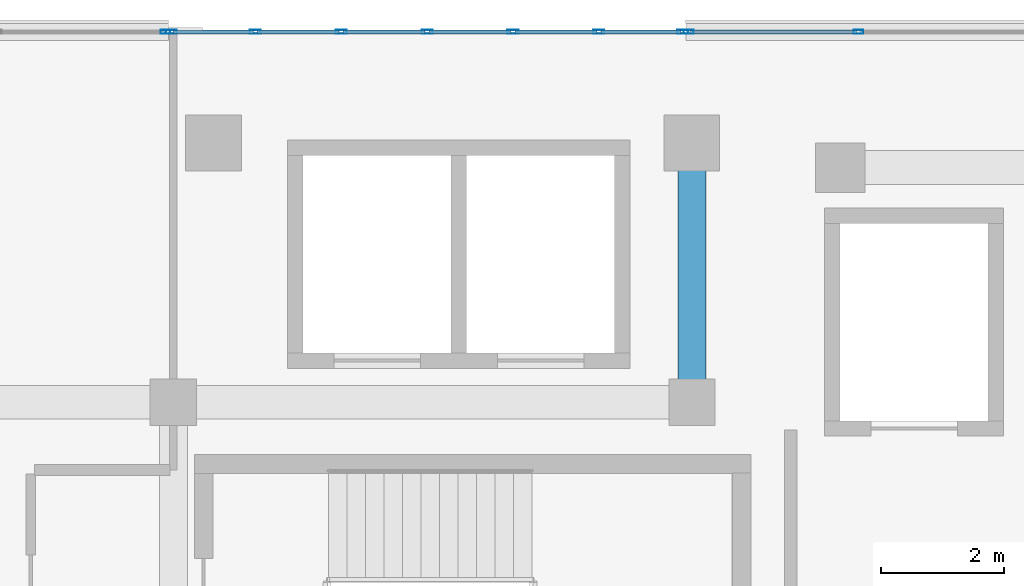
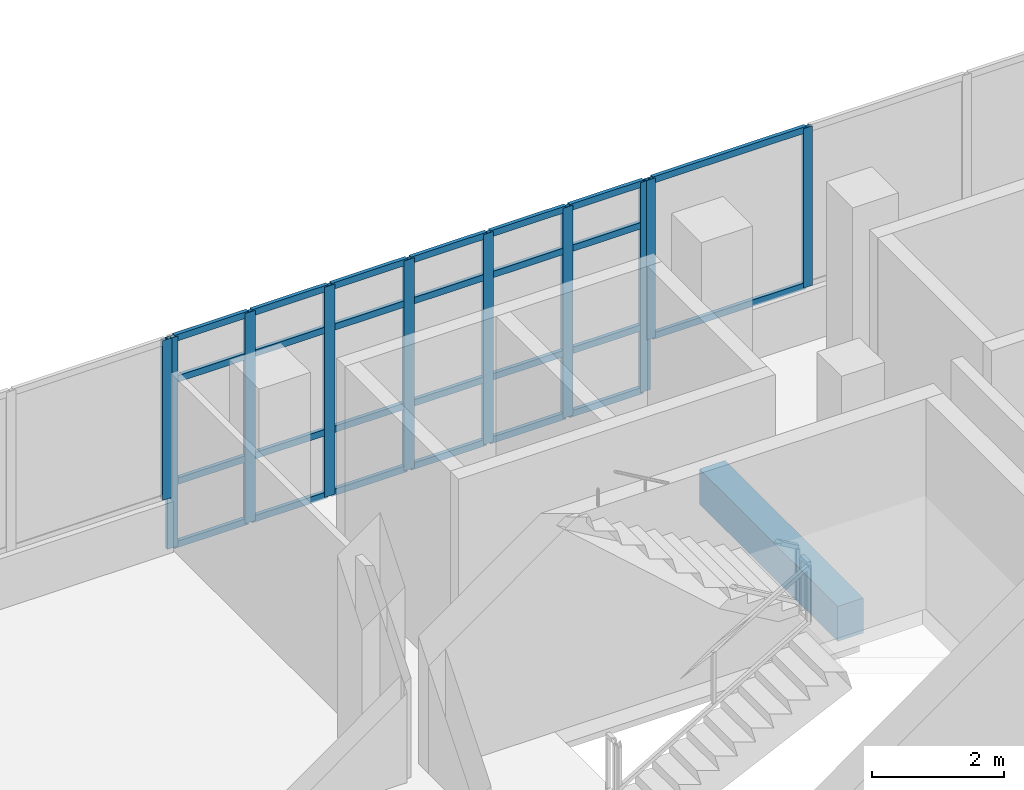
# One storey, part 98 of 184: 36 members, 1 beam, 3 elements without a shape of their own.
"""IFC4 building model written with IfcOpenShell, lengths in metres."""

import ifcopenshell
import ifcopenshell.guid

model = None  # the IFC model being written
_history = None  # IfcOwnerHistory: only IFC2X3 demands one
_inside = {}  # id of a spatial element -> (the spatial element, [elements in it])
_under = {}  # id of a project, library or spatial element -> (it, [spatial elements below it])
_declared = {}  # id of a project -> (the project, [libraries it declares])
_typed = {}  # id of a type object -> (the type object, [elements of that type])
_made_of = {}  # id of a material, layer set ... -> (it, [elements and type objects made of it])


def new_model(schema):
    """Start an empty IFC model of exactly this schema.

    Asked for "IFC4X3", IfcOpenShell would pick the latest addendum, in which some entities
    have other attributes; the version numbers below select the first issue.
    IFC2X3 requires an IfcOwnerHistory on every rooted entity: one is made here for all.
    """
    global model, _history
    if schema == "IFC4X3":
        model = ifcopenshell.file(schema_version=(4, 3, 0, 0))
    else:
        model = ifcopenshell.file(schema=schema)
    _inside.clear()
    _under.clear()
    _declared.clear()
    _typed.clear()
    _made_of.clear()
    _history = None
    if model.schema == "IFC2X3":
        org = make("IfcOrganization", Name="unknown")
        user = make(
            "IfcPersonAndOrganization",
            ThePerson=make("IfcPerson", FamilyName="unknown"),
            TheOrganization=org,
        )
        app = make(
            "IfcApplication",
            ApplicationDeveloper=org,
            Version="unknown",
            ApplicationFullName="unknown",
            ApplicationIdentifier="unknown",
        )
        _history = make(
            "IfcOwnerHistory",
            OwningUser=user,
            OwningApplication=app,
            ChangeAction="ADDED",
            CreationDate=0,
        )
    return model


def make(cls, **values):
    """One entity of the class cls with the attributes given. An attribute that is None is left unset."""
    return model.create_entity(
        cls, **{name: value for name, value in values.items() if value is not None}
    )


def rooted(cls, **values):
    """An entity with a GlobalId (a new one), such as an element, a storey or a relation."""
    return make(cls, GlobalId=ifcopenshell.guid.new(), OwnerHistory=_history, **values)


def si_unit(unit_type, name, prefix=None):
    """IfcSIUnit, for example si_unit("LENGTHUNIT", "METRE", prefix="MILLI")."""
    return make("IfcSIUnit", UnitType=unit_type, Prefix=prefix, Name=name)


def assignment(units):
    """IfcUnitAssignment: the units of a project."""
    return None if units is None else make("IfcUnitAssignment", Units=units)


def point(xyz):
    """IfcCartesianPoint."""
    return None if xyz is None else make("IfcCartesianPoint", Coordinates=xyz)


def direction(xyz):
    """IfcDirection."""
    return None if xyz is None else make("IfcDirection", DirectionRatios=xyz)


def frame(location, z_axis=None, x_axis=None):
    """IfcAxis2Placement3D, a coordinate frame: its origin and axes. An axis left out is left unset."""
    return make(
        "IfcAxis2Placement3D",
        Location=point(location),
        Axis=direction(z_axis),
        RefDirection=direction(x_axis),
    )


def frame_2d(location, x_axis=None):
    """IfcAxis2Placement2D, a coordinate frame in the plane: its origin and x axis."""
    return make(
        "IfcAxis2Placement2D", Location=point(location), RefDirection=direction(x_axis)
    )


def origin():
    """The frame at (0, 0, 0) with its axes left unset."""
    return frame((0.0, 0.0, 0.0))


def origin_2d():
    """The frame at (0, 0) in the plane with its x axis left unset."""
    return frame_2d((0.0, 0.0))


def place(relative_to, where):
    """IfcLocalPlacement: puts the frame where relative to a parent placement (None: the world)."""
    return make(
        "IfcLocalPlacement", PlacementRelTo=relative_to, RelativePlacement=where
    )


def context(
    kind, dimensions, precision=None, world=None, true_north=None, identifier=None
):
    """IfcGeometricRepresentationContext, for example the 3D "Model" context."""
    return make(
        "IfcGeometricRepresentationContext",
        ContextIdentifier=identifier,
        ContextType=kind,
        CoordinateSpaceDimension=dimensions,
        Precision=precision,
        WorldCoordinateSystem=world,
        TrueNorth=true_north,
    )


def subcontext(parent, identifier, kind, view, scale=None):
    """IfcGeometricRepresentationSubContext, for example "Body" below "Model"."""
    return make(
        "IfcGeometricRepresentationSubContext",
        ContextIdentifier=identifier,
        ContextType=kind,
        ParentContext=parent,
        TargetScale=scale,
        TargetView=view,
    )


def project(units=None, contexts=None):
    """IfcProject with its units and contexts."""
    return rooted(
        "IfcProject",
        Name="project",
        RepresentationContexts=contexts,
        UnitsInContext=assignment(units),
    )


def spatial(cls, under=None, at=None, **own):
    """A site, building, storey or space (cls), placed at a placement, below another one or the project."""
    s = rooted(cls, ObjectPlacement=at, **own)
    if under is not None:
        _under.setdefault(under.id(), (under, []))[1].append(s)
    return s


def profile(cls, at=None, kind="AREA", **sizes):
    """A parametric profile (cls). Its sizes go by their IFC names, for example OverallWidth=200.0."""
    return make(cls, ProfileType=kind, Position=at, **sizes)


def rectangle(**sizes):
    """IfcRectangleProfileDef."""
    return profile("IfcRectangleProfileDef", **sizes)


def hollow_rectangle(**sizes):
    """IfcRectangleHollowProfileDef."""
    return profile("IfcRectangleHollowProfileDef", **sizes)


def extrude(swept, where, along, depth):
    """IfcExtrudedAreaSolid: the profile swept, set in the frame where, extruded along a direction by depth."""
    return make(
        "IfcExtrudedAreaSolid",
        SweptArea=swept,
        Position=where,
        ExtrudedDirection=direction(along),
        Depth=depth,
    )


def shape(context_of_items, identifier, shape_type, items):
    """IfcShapeRepresentation: the items that make up one representation, for example the "Body"."""
    return make(
        "IfcShapeRepresentation",
        ContextOfItems=context_of_items,
        RepresentationIdentifier=identifier,
        RepresentationType=shape_type,
        Items=items,
    )


def material(Name=None, Category=None):
    """IfcMaterial."""
    return make("IfcMaterial", Name=Name, Category=Category)


def material_profile(
    of_material, cross_section, Name=None, Category=None, Priority=None
):
    """IfcMaterialProfile: a cross section and its material."""
    return make(
        "IfcMaterialProfile",
        Name=Name,
        Material=of_material,
        Profile=cross_section,
        Priority=Priority,
        Category=Category,
    )


def profile_set(profiles, Name=None, composite=None):
    """IfcMaterialProfileSet."""
    return make(
        "IfcMaterialProfileSet",
        Name=Name,
        MaterialProfiles=profiles,
        CompositeProfile=composite,
    )


def made_of(thing, what):
    """Note that an element or type object is made of a material, layer set ...; save() writes the relation."""
    if what is not None:
        _made_of.setdefault(what.id(), (what, []))[1].append(thing)
    return thing


def type_object(cls, material=None, **own):
    """A type object (cls), such as IfcWallType, which elements share."""
    return made_of(rooted(cls, **own), material)


def element(
    cls,
    number,
    at=None,
    inside=None,
    cuts=None,
    type_object=None,
    material=None,
    context=None,
    identifier="Body",
    shape_type=None,
    held_by="IfcProductDefinitionShape",
    body=None,
    shapes=None,
    **own,
):
    """One element of the class cls, such as IfcWall. Its Tag is "e" and its number.

    at: its placement. inside: the storey or other place that contains it. cuts: it is an
    opening in that element (IfcRelVoidsElement). A single representation is given by context,
    identifier, shape_type and body (its items); several are given by shapes. held_by: the class
    of the entity that holds the representations. save() writes the other relations.
    """
    e = rooted(cls, Tag="e%d" % number, ObjectPlacement=at, **own)
    if body is not None:
        shapes = [shape(context, identifier, shape_type, body)]
    if shapes is not None:
        e.Representation = make(held_by, Representations=shapes)
    if inside is not None:
        _inside.setdefault(inside.id(), (inside, []))[1].append(e)
    if cuts is not None:
        rooted(
            "IfcRelVoidsElement", RelatingBuildingElement=cuts, RelatedOpeningElement=e
        )
    if type_object is not None:
        _typed.setdefault(type_object.id(), (type_object, []))[1].append(e)
    return made_of(e, material)


def aggregate(whole, parts):
    """IfcRelAggregates: a whole, such as a stair, and the parts it consists of."""
    return rooted("IfcRelAggregates", RelatingObject=whole, RelatedObjects=parts)


def save(model, path):
    """Write the relations noted so far, then the file.

    IfcRelAggregates (storeys below a building ...), IfcRelContainedInSpatialStructure (elements
    in a storey), IfcRelDefinesByType, IfcRelAssociatesMaterial and IfcRelDeclares: one each for
    every whole, place, type object, material and project.
    """
    for whole, parts in _under.values():
        aggregate(whole, parts)
    for where, things in _inside.values():
        rooted(
            "IfcRelContainedInSpatialStructure",
            RelatedElements=things,
            RelatingStructure=where,
        )
    for kind, things in _typed.values():
        rooted("IfcRelDefinesByType", RelatedObjects=things, RelatingType=kind)
    for what, things in _made_of.values():
        rooted("IfcRelAssociatesMaterial", RelatedObjects=things, RelatingMaterial=what)
    for by, libraries in _declared.values():
        rooted("IfcRelDeclares", RelatingContext=by, RelatedDefinitions=libraries)
    model.write(path)


model = new_model("IFC4")

# Units and contexts
model_context = context("Model", 3, precision=1e-05, world=origin(), true_north=direction((0.0, 1.0)))
body_context = subcontext(model_context, "Body", "Model", "MODEL_VIEW")
ifc_project = project(units=[si_unit("LENGTHUNIT", "METRE"), si_unit("AREAUNIT", "SQUARE_METRE"), si_unit("VOLUMEUNIT", "CUBIC_METRE"), si_unit("PLANEANGLEUNIT", "RADIAN"), si_unit("MASSUNIT", "GRAM", prefix="KILO")], contexts=[model_context])

# Site, building, storey
site_placement = place(None, origin())
site = spatial("IfcSite", under=ifc_project, at=site_placement, CompositionType="ELEMENT")
building_placement = place(site_placement, origin())
building = spatial("IfcBuilding", under=site, at=building_placement, Name="Selatvlak General Hospital", CompositionType="ELEMENT")
storey_placement = place(building_placement, frame((0.0, 0.0, 15.0)))
storey = spatial("IfcBuildingStorey", under=building, at=storey_placement, Name="L03", CompositionType="ELEMENT", Elevation=15.0)

# Beam
ifc_material_1 = material(Name="Concrete C40/50", Category="concrete")
ifc_material_profile_1 = material_profile(ifc_material_1, rectangle(XDim=0.449951171875, YDim=0.64990234375, at=origin_2d()), Name="RC-BM 450x650")
ifc_profile_set_1 = profile_set([ifc_material_profile_1], Name="Concrete C40/50")
beam_type = type_object("IfcBeamType", Name="BM-G04", PredefinedType="BEAM", material=ifc_profile_set_1)
beam_placement = place(storey_placement, frame((56.39990234375, 114.0, -0.6650390625), z_axis=(0.0, 1.0, 0.0), x_axis=(-1.0, 0.0, 0.0)))
element("IfcBeam", 1, at=beam_placement, inside=storey, type_object=beam_type, Name="Beam BMR-L03-1319", PredefinedType="BEAM", context=body_context, shape_type="SweptSolid", body=[
    extrude(rectangle(XDim=0.449951171875, YDim=0.64990234375, at=origin_2d()), origin(), (0.0, 0.0, 1.0), 4.199951171875),
])

# Curtain wall, member
ifc_material_2 = material(Name="Solar-control Low-E double glazing", Category="glass")
curtain_wall_type_1 = type_object("IfcCurtainWallType", Name="CW-CW-02", PredefinedType="USERDEFINED", material=ifc_material_2)
curtain_wall_1_placement = place(storey_placement, origin())
curtain_wall_1 = element("IfcCurtainWall", 2, at=curtain_wall_1_placement, inside=storey, type_object=curtain_wall_type_1, Name="Glazed facade curtain wall CW-L03-0367", ObjectType="UNITISED CURTAIN WALL", PredefinedType="USERDEFINED")
ifc_material_3 = material(Name="Dark anodised aluminium mullion", Category="aluminium")
ifc_material_profile_2 = material_profile(ifc_material_3, hollow_rectangle(XDim=0.06494140625, YDim=0.159912109375, WallThickness=0.00390625, at=origin_2d()), Name="AL-MUL 65x160x4")
ifc_profile_set_2 = profile_set([ifc_material_profile_2], Name="Dark anodised aluminium mullion")
member_type_1 = type_object("IfcMemberType", Name="CWM-01", PredefinedType="MULLION", material=ifc_profile_set_2)
member_1_placement = place(storey_placement, frame((47.87255859375, 119.9990234375, 0.93994140625), z_axis=(0.0, 0.0, 1.0), x_axis=(0.0, 1.0, 0.0)))
member_1 = element("IfcMember", 3, at=member_1_placement, type_object=member_type_1, Name="CW-02 mullion 4", PredefinedType="MULLION", context=body_context, shape_type="SweptSolid", body=[
    extrude(hollow_rectangle(XDim=0.06494140625, YDim=0.159912109375, WallThickness=0.00390625, at=origin_2d()), origin(), (0.0, 0.0, 1.0), 2.955078125),
])
aggregate(curtain_wall_1, [member_1])

# Curtain wall, members
curtain_wall_2_placement = place(storey_placement, origin())
curtain_wall_2 = element("IfcCurtainWall", 4, at=curtain_wall_2_placement, inside=storey, type_object=curtain_wall_type_1, Name="Glazed facade curtain wall CW-L03-0369", ObjectType="UNITISED CURTAIN WALL", PredefinedType="USERDEFINED")
member_2_placement = place(storey_placement, frame((56.347412109375, 119.9990234375, 0.93994140625), z_axis=(0.0, 0.0, 1.0), x_axis=(0.0, 1.0, 0.0)))
member_2 = element("IfcMember", 5, at=member_2_placement, type_object=member_type_1, Name="CW-02 mullion 1", PredefinedType="MULLION", context=body_context, shape_type="SweptSolid", body=[
    extrude(hollow_rectangle(XDim=0.06494140625, YDim=0.159912109375, WallThickness=0.00390625, at=origin_2d()), origin(), (0.0, 0.0, 1.0), 2.955078125),
])
member_3_placement = place(storey_placement, frame((59.098388671875, 119.9990234375, 0.93994140625), z_axis=(0.0, 0.0, 1.0), x_axis=(0.0, 1.0, 0.0)))
member_3 = element("IfcMember", 6, at=member_3_placement, type_object=member_type_1, Name="CW-02 mullion 2", PredefinedType="MULLION", context=body_context, shape_type="SweptSolid", body=[
    extrude(hollow_rectangle(XDim=0.06494140625, YDim=0.159912109375, WallThickness=0.00390625, at=origin_2d()), origin(), (0.0, 0.0, 1.0), 2.955078125),
])

curtain_wall_type_2 = type_object("IfcCurtainWallType", Name="CW-CW-04", PredefinedType="USERDEFINED", material=ifc_material_2)
curtain_wall_3_placement = place(storey_placement, origin())
curtain_wall_3 = element("IfcCurtainWall", 7, at=curtain_wall_3_placement, inside=storey, type_object=curtain_wall_type_2, Name="Glazed facade curtain wall CW-L03-0368", ObjectType="STICK GLAZING WALL", PredefinedType="USERDEFINED")
ifc_material_profile_3 = material_profile(ifc_material_3, hollow_rectangle(XDim=0.06494140625, YDim=0.179931640625, WallThickness=0.00439453125, at=origin_2d()), Name="AL-MUL 65x180x4.5")
ifc_profile_set_3 = profile_set([ifc_material_profile_3], Name="Dark anodised aluminium mullion")
member_type_2 = type_object("IfcMemberType", Name="CWM-02", PredefinedType="MULLION", material=ifc_profile_set_3)
member_4_placement = place(storey_placement, frame((47.967529296875, 119.9990234375, 0.0), z_axis=(0.0, 0.0, 1.0), x_axis=(0.0, 1.0, 0.0)))
member_4 = element("IfcMember", 8, at=member_4_placement, type_object=member_type_2, Name="CW-04 mullion 1", PredefinedType="MULLION", context=body_context, shape_type="SweptSolid", body=[
    extrude(hollow_rectangle(XDim=0.06494140625, YDim=0.179931640625, WallThickness=0.00439453125, at=origin_2d()), origin(), (0.0, 0.0, 1.0), 3.89501953125),
])
member_5_placement = place(storey_placement, frame((49.32666015625, 119.9990234375, 0.0), z_axis=(0.0, 0.0, 1.0), x_axis=(0.0, 1.0, 0.0)))
member_5 = element("IfcMember", 9, at=member_5_placement, type_object=member_type_2, Name="CW-04 mullion 2", PredefinedType="MULLION", context=body_context, shape_type="SweptSolid", body=[
    extrude(hollow_rectangle(XDim=0.06494140625, YDim=0.179931640625, WallThickness=0.00439453125, at=origin_2d()), origin(), (0.0, 0.0, 1.0), 3.89501953125),
])
member_6_placement = place(storey_placement, frame((50.71826171875, 119.9990234375, 0.0), z_axis=(0.0, 0.0, 1.0), x_axis=(0.0, 1.0, 0.0)))
member_6 = element("IfcMember", 10, at=member_6_placement, type_object=member_type_2, Name="CW-04 mullion 3", PredefinedType="MULLION", context=body_context, shape_type="SweptSolid", body=[
    extrude(hollow_rectangle(XDim=0.06494140625, YDim=0.179931640625, WallThickness=0.00439453125, at=origin_2d()), origin(), (0.0, 0.0, 1.0), 3.89501953125),
])
member_7_placement = place(storey_placement, frame((52.110107421875, 119.9990234375, 0.0), z_axis=(0.0, 0.0, 1.0), x_axis=(0.0, 1.0, 0.0)))
member_7 = element("IfcMember", 11, at=member_7_placement, type_object=member_type_2, Name="CW-04 mullion 4", PredefinedType="MULLION", context=body_context, shape_type="SweptSolid", body=[
    extrude(hollow_rectangle(XDim=0.06494140625, YDim=0.179931640625, WallThickness=0.00439453125, at=origin_2d()), origin(), (0.0, 0.0, 1.0), 3.89501953125),
])
member_8_placement = place(storey_placement, frame((53.501708984375, 119.9990234375, 0.0), z_axis=(0.0, 0.0, 1.0), x_axis=(0.0, 1.0, 0.0)))
member_8 = element("IfcMember", 12, at=member_8_placement, type_object=member_type_2, Name="CW-04 mullion 5", PredefinedType="MULLION", context=body_context, shape_type="SweptSolid", body=[
    extrude(hollow_rectangle(XDim=0.06494140625, YDim=0.179931640625, WallThickness=0.00439453125, at=origin_2d()), origin(), (0.0, 0.0, 1.0), 3.89501953125),
])
member_9_placement = place(storey_placement, frame((54.893310546875, 119.9990234375, 0.0), z_axis=(0.0, 0.0, 1.0), x_axis=(0.0, 1.0, 0.0)))
member_9 = element("IfcMember", 13, at=member_9_placement, type_object=member_type_2, Name="CW-04 mullion 6", PredefinedType="MULLION", context=body_context, shape_type="SweptSolid", body=[
    extrude(hollow_rectangle(XDim=0.06494140625, YDim=0.179931640625, WallThickness=0.00439453125, at=origin_2d()), origin(), (0.0, 0.0, 1.0), 3.89501953125),
])
member_10_placement = place(storey_placement, frame((56.25244140625, 119.9990234375, 0.0), z_axis=(0.0, 0.0, 1.0), x_axis=(0.0, 1.0, 0.0)))
member_10 = element("IfcMember", 14, at=member_10_placement, type_object=member_type_2, Name="CW-04 mullion 7", PredefinedType="MULLION", context=body_context, shape_type="SweptSolid", body=[
    extrude(hollow_rectangle(XDim=0.06494140625, YDim=0.179931640625, WallThickness=0.00439453125, at=origin_2d()), origin(), (0.0, 0.0, 1.0), 3.89501953125),
])
ifc_material_profile_4 = material_profile(ifc_material_3, hollow_rectangle(XDim=0.06494140625, YDim=0.1201171875, WallThickness=0.00390625, at=origin_2d()), Name="AL-TRN 65x120x4")
ifc_profile_set_4 = profile_set([ifc_material_profile_4], Name="Dark anodised aluminium mullion")
member_type_3 = type_object("IfcMemberType", Name="CWT-01", PredefinedType="USERDEFINED", material=ifc_profile_set_4)
member_11_placement = place(storey_placement, frame((48.0, 119.9990234375, 0.032470703125), z_axis=(1.0, 0.0, 0.0), x_axis=(0.0, 1.0, 0.0)))
member_11 = element("IfcMember", 15, at=member_11_placement, type_object=member_type_3, Name="CW-04 transom 1.1", ObjectType="TRANSOM", PredefinedType="USERDEFINED", context=body_context, shape_type="SweptSolid", body=[
    extrude(hollow_rectangle(XDim=0.06494140625, YDim=0.1201171875, WallThickness=0.00390625, at=origin_2d()), origin(), (0.0, 0.0, 1.0), 1.294189453125),
])
member_12_placement = place(storey_placement, frame((48.0, 119.9990234375, 1.199951171875), z_axis=(1.0, 0.0, 0.0), x_axis=(0.0, 1.0, 0.0)))
member_12 = element("IfcMember", 16, at=member_12_placement, type_object=member_type_3, Name="CW-04 transom 1.2", ObjectType="TRANSOM", PredefinedType="USERDEFINED", context=body_context, shape_type="SweptSolid", body=[
    extrude(hollow_rectangle(XDim=0.06494140625, YDim=0.1201171875, WallThickness=0.00390625, at=origin_2d()), origin(), (0.0, 0.0, 1.0), 1.294189453125),
])
member_13_placement = place(storey_placement, frame((48.0, 119.9990234375, 3.094970703125), z_axis=(1.0, 0.0, 0.0), x_axis=(0.0, 1.0, 0.0)))
member_13 = element("IfcMember", 17, at=member_13_placement, type_object=member_type_3, Name="CW-04 transom 1.3", ObjectType="TRANSOM", PredefinedType="USERDEFINED", context=body_context, shape_type="SweptSolid", body=[
    extrude(hollow_rectangle(XDim=0.06494140625, YDim=0.1201171875, WallThickness=0.00390625, at=origin_2d()), origin(), (0.0, 0.0, 1.0), 1.294189453125),
])
member_14_placement = place(storey_placement, frame((48.0, 119.9990234375, 3.862548828125), z_axis=(1.0, 0.0, 0.0), x_axis=(0.0, 1.0, 0.0)))
member_14 = element("IfcMember", 18, at=member_14_placement, type_object=member_type_3, Name="CW-04 transom 1.4", ObjectType="TRANSOM", PredefinedType="USERDEFINED", context=body_context, shape_type="SweptSolid", body=[
    extrude(hollow_rectangle(XDim=0.06494140625, YDim=0.1201171875, WallThickness=0.00390625, at=origin_2d()), origin(), (0.0, 0.0, 1.0), 1.294189453125),
])
member_15_placement = place(storey_placement, frame((49.359130859375, 119.9990234375, 0.032470703125), z_axis=(1.0, 0.0, 0.0), x_axis=(0.0, 1.0, 0.0)))
member_15 = element("IfcMember", 19, at=member_15_placement, type_object=member_type_3, Name="CW-04 transom 2.1", ObjectType="TRANSOM", PredefinedType="USERDEFINED", context=body_context, shape_type="SweptSolid", body=[
    extrude(hollow_rectangle(XDim=0.06494140625, YDim=0.1201171875, WallThickness=0.00390625, at=origin_2d()), origin(), (0.0, 0.0, 1.0), 1.32666015625),
])
member_16_placement = place(storey_placement, frame((49.359130859375, 119.9990234375, 1.199951171875), z_axis=(1.0, 0.0, 0.0), x_axis=(0.0, 1.0, 0.0)))
member_16 = element("IfcMember", 20, at=member_16_placement, type_object=member_type_3, Name="CW-04 transom 2.2", ObjectType="TRANSOM", PredefinedType="USERDEFINED", context=body_context, shape_type="SweptSolid", body=[
    extrude(hollow_rectangle(XDim=0.06494140625, YDim=0.1201171875, WallThickness=0.00390625, at=origin_2d()), origin(), (0.0, 0.0, 1.0), 1.32666015625),
])
member_17_placement = place(storey_placement, frame((49.359130859375, 119.9990234375, 3.094970703125), z_axis=(1.0, 0.0, 0.0), x_axis=(0.0, 1.0, 0.0)))
member_17 = element("IfcMember", 21, at=member_17_placement, type_object=member_type_3, Name="CW-04 transom 2.3", ObjectType="TRANSOM", PredefinedType="USERDEFINED", context=body_context, shape_type="SweptSolid", body=[
    extrude(hollow_rectangle(XDim=0.06494140625, YDim=0.1201171875, WallThickness=0.00390625, at=origin_2d()), origin(), (0.0, 0.0, 1.0), 1.32666015625),
])
member_18_placement = place(storey_placement, frame((49.359130859375, 119.9990234375, 3.862548828125), z_axis=(1.0, 0.0, 0.0), x_axis=(0.0, 1.0, 0.0)))
member_18 = element("IfcMember", 22, at=member_18_placement, type_object=member_type_3, Name="CW-04 transom 2.4", ObjectType="TRANSOM", PredefinedType="USERDEFINED", context=body_context, shape_type="SweptSolid", body=[
    extrude(hollow_rectangle(XDim=0.06494140625, YDim=0.1201171875, WallThickness=0.00390625, at=origin_2d()), origin(), (0.0, 0.0, 1.0), 1.32666015625),
])
member_19_placement = place(storey_placement, frame((50.750732421875, 119.9990234375, 0.032470703125), z_axis=(1.0, 0.0, 0.0), x_axis=(0.0, 1.0, 0.0)))
member_19 = element("IfcMember", 23, at=member_19_placement, type_object=member_type_3, Name="CW-04 transom 3.1", ObjectType="TRANSOM", PredefinedType="USERDEFINED", context=body_context, shape_type="SweptSolid", body=[
    extrude(hollow_rectangle(XDim=0.06494140625, YDim=0.1201171875, WallThickness=0.00390625, at=origin_2d()), origin(), (0.0, 0.0, 1.0), 1.32666015625),
])
member_20_placement = place(storey_placement, frame((50.750732421875, 119.9990234375, 1.199951171875), z_axis=(1.0, 0.0, 0.0), x_axis=(0.0, 1.0, 0.0)))
member_20 = element("IfcMember", 24, at=member_20_placement, type_object=member_type_3, Name="CW-04 transom 3.2", ObjectType="TRANSOM", PredefinedType="USERDEFINED", context=body_context, shape_type="SweptSolid", body=[
    extrude(hollow_rectangle(XDim=0.06494140625, YDim=0.1201171875, WallThickness=0.00390625, at=origin_2d()), origin(), (0.0, 0.0, 1.0), 1.32666015625),
])
member_21_placement = place(storey_placement, frame((50.750732421875, 119.9990234375, 3.094970703125), z_axis=(1.0, 0.0, 0.0), x_axis=(0.0, 1.0, 0.0)))
member_21 = element("IfcMember", 25, at=member_21_placement, type_object=member_type_3, Name="CW-04 transom 3.3", ObjectType="TRANSOM", PredefinedType="USERDEFINED", context=body_context, shape_type="SweptSolid", body=[
    extrude(hollow_rectangle(XDim=0.06494140625, YDim=0.1201171875, WallThickness=0.00390625, at=origin_2d()), origin(), (0.0, 0.0, 1.0), 1.32666015625),
])
member_22_placement = place(storey_placement, frame((50.750732421875, 119.9990234375, 3.862548828125), z_axis=(1.0, 0.0, 0.0), x_axis=(0.0, 1.0, 0.0)))
member_22 = element("IfcMember", 26, at=member_22_placement, type_object=member_type_3, Name="CW-04 transom 3.4", ObjectType="TRANSOM", PredefinedType="USERDEFINED", context=body_context, shape_type="SweptSolid", body=[
    extrude(hollow_rectangle(XDim=0.06494140625, YDim=0.1201171875, WallThickness=0.00390625, at=origin_2d()), origin(), (0.0, 0.0, 1.0), 1.32666015625),
])
member_23_placement = place(storey_placement, frame((52.142578125, 119.9990234375, 0.032470703125), z_axis=(1.0, 0.0, 0.0), x_axis=(0.0, 1.0, 0.0)))
member_23 = element("IfcMember", 27, at=member_23_placement, type_object=member_type_3, Name="CW-04 transom 4.1", ObjectType="TRANSOM", PredefinedType="USERDEFINED", context=body_context, shape_type="SweptSolid", body=[
    extrude(hollow_rectangle(XDim=0.06494140625, YDim=0.1201171875, WallThickness=0.00390625, at=origin_2d()), origin(), (0.0, 0.0, 1.0), 1.32666015625),
])
member_24_placement = place(storey_placement, frame((52.142578125, 119.9990234375, 1.199951171875), z_axis=(1.0, 0.0, 0.0), x_axis=(0.0, 1.0, 0.0)))
member_24 = element("IfcMember", 28, at=member_24_placement, type_object=member_type_3, Name="CW-04 transom 4.2", ObjectType="TRANSOM", PredefinedType="USERDEFINED", context=body_context, shape_type="SweptSolid", body=[
    extrude(hollow_rectangle(XDim=0.06494140625, YDim=0.1201171875, WallThickness=0.00390625, at=origin_2d()), origin(), (0.0, 0.0, 1.0), 1.32666015625),
])
member_25_placement = place(storey_placement, frame((52.142578125, 119.9990234375, 3.094970703125), z_axis=(1.0, 0.0, 0.0), x_axis=(0.0, 1.0, 0.0)))
member_25 = element("IfcMember", 29, at=member_25_placement, type_object=member_type_3, Name="CW-04 transom 4.3", ObjectType="TRANSOM", PredefinedType="USERDEFINED", context=body_context, shape_type="SweptSolid", body=[
    extrude(hollow_rectangle(XDim=0.06494140625, YDim=0.1201171875, WallThickness=0.00390625, at=origin_2d()), origin(), (0.0, 0.0, 1.0), 1.32666015625),
])
member_26_placement = place(storey_placement, frame((52.142578125, 119.9990234375, 3.862548828125), z_axis=(1.0, 0.0, 0.0), x_axis=(0.0, 1.0, 0.0)))
member_26 = element("IfcMember", 30, at=member_26_placement, type_object=member_type_3, Name="CW-04 transom 4.4", ObjectType="TRANSOM", PredefinedType="USERDEFINED", context=body_context, shape_type="SweptSolid", body=[
    extrude(hollow_rectangle(XDim=0.06494140625, YDim=0.1201171875, WallThickness=0.00390625, at=origin_2d()), origin(), (0.0, 0.0, 1.0), 1.32666015625),
])
member_27_placement = place(storey_placement, frame((53.5341796875, 119.9990234375, 0.032470703125), z_axis=(1.0, 0.0, 0.0), x_axis=(0.0, 1.0, 0.0)))
member_27 = element("IfcMember", 31, at=member_27_placement, type_object=member_type_3, Name="CW-04 transom 5.1", ObjectType="TRANSOM", PredefinedType="USERDEFINED", context=body_context, shape_type="SweptSolid", body=[
    extrude(hollow_rectangle(XDim=0.06494140625, YDim=0.1201171875, WallThickness=0.00390625, at=origin_2d()), origin(), (0.0, 0.0, 1.0), 1.32666015625),
])
member_28_placement = place(storey_placement, frame((53.5341796875, 119.9990234375, 1.199951171875), z_axis=(1.0, 0.0, 0.0), x_axis=(0.0, 1.0, 0.0)))
member_28 = element("IfcMember", 32, at=member_28_placement, type_object=member_type_3, Name="CW-04 transom 5.2", ObjectType="TRANSOM", PredefinedType="USERDEFINED", context=body_context, shape_type="SweptSolid", body=[
    extrude(hollow_rectangle(XDim=0.06494140625, YDim=0.1201171875, WallThickness=0.00390625, at=origin_2d()), origin(), (0.0, 0.0, 1.0), 1.32666015625),
])
member_29_placement = place(storey_placement, frame((53.5341796875, 119.9990234375, 3.094970703125), z_axis=(1.0, 0.0, 0.0), x_axis=(0.0, 1.0, 0.0)))
member_29 = element("IfcMember", 33, at=member_29_placement, type_object=member_type_3, Name="CW-04 transom 5.3", ObjectType="TRANSOM", PredefinedType="USERDEFINED", context=body_context, shape_type="SweptSolid", body=[
    extrude(hollow_rectangle(XDim=0.06494140625, YDim=0.1201171875, WallThickness=0.00390625, at=origin_2d()), origin(), (0.0, 0.0, 1.0), 1.32666015625),
])
member_30_placement = place(storey_placement, frame((53.5341796875, 119.9990234375, 3.862548828125), z_axis=(1.0, 0.0, 0.0), x_axis=(0.0, 1.0, 0.0)))
member_30 = element("IfcMember", 34, at=member_30_placement, type_object=member_type_3, Name="CW-04 transom 5.4", ObjectType="TRANSOM", PredefinedType="USERDEFINED", context=body_context, shape_type="SweptSolid", body=[
    extrude(hollow_rectangle(XDim=0.06494140625, YDim=0.1201171875, WallThickness=0.00390625, at=origin_2d()), origin(), (0.0, 0.0, 1.0), 1.32666015625),
])
member_31_placement = place(storey_placement, frame((54.92578125, 119.9990234375, 0.032470703125), z_axis=(1.0, 0.0, 0.0), x_axis=(0.0, 1.0, 0.0)))
member_31 = element("IfcMember", 35, at=member_31_placement, type_object=member_type_3, Name="CW-04 transom 6.1", ObjectType="TRANSOM", PredefinedType="USERDEFINED", context=body_context, shape_type="SweptSolid", body=[
    extrude(hollow_rectangle(XDim=0.06494140625, YDim=0.1201171875, WallThickness=0.00390625, at=origin_2d()), origin(), (0.0, 0.0, 1.0), 1.294189453125),
])
member_32_placement = place(storey_placement, frame((54.92578125, 119.9990234375, 1.199951171875), z_axis=(1.0, 0.0, 0.0), x_axis=(0.0, 1.0, 0.0)))
member_32 = element("IfcMember", 36, at=member_32_placement, type_object=member_type_3, Name="CW-04 transom 6.2", ObjectType="TRANSOM", PredefinedType="USERDEFINED", context=body_context, shape_type="SweptSolid", body=[
    extrude(hollow_rectangle(XDim=0.06494140625, YDim=0.1201171875, WallThickness=0.00390625, at=origin_2d()), origin(), (0.0, 0.0, 1.0), 1.294189453125),
])
member_33_placement = place(storey_placement, frame((54.92578125, 119.9990234375, 3.094970703125), z_axis=(1.0, 0.0, 0.0), x_axis=(0.0, 1.0, 0.0)))
member_33 = element("IfcMember", 37, at=member_33_placement, type_object=member_type_3, Name="CW-04 transom 6.3", ObjectType="TRANSOM", PredefinedType="USERDEFINED", context=body_context, shape_type="SweptSolid", body=[
    extrude(hollow_rectangle(XDim=0.06494140625, YDim=0.1201171875, WallThickness=0.00390625, at=origin_2d()), origin(), (0.0, 0.0, 1.0), 1.294189453125),
])
member_34_placement = place(storey_placement, frame((54.92578125, 119.9990234375, 3.862548828125), z_axis=(1.0, 0.0, 0.0), x_axis=(0.0, 1.0, 0.0)))
member_34 = element("IfcMember", 38, at=member_34_placement, type_object=member_type_3, Name="CW-04 transom 6.4", ObjectType="TRANSOM", PredefinedType="USERDEFINED", context=body_context, shape_type="SweptSolid", body=[
    extrude(hollow_rectangle(XDim=0.06494140625, YDim=0.1201171875, WallThickness=0.00390625, at=origin_2d()), origin(), (0.0, 0.0, 1.0), 1.294189453125),
])
aggregate(curtain_wall_3, [member_4, member_5, member_6, member_7, member_8, member_9, member_10, member_11, member_12, member_13, member_14, member_15, member_16, member_17, member_18, member_19, member_20, member_21, member_22, member_23, member_24, member_25, member_26, member_27, member_28, member_29, member_30, member_31, member_32, member_33, member_34])

# Member
member_35_placement = place(storey_placement, frame((56.3798828125, 119.9990234375, 0.972412109375), z_axis=(1.0, 0.0, 0.0), x_axis=(0.0, 1.0, 0.0)))
member_35 = element("IfcMember", 39, at=member_35_placement, type_object=member_type_3, Name="CW-02 transom 1.1", ObjectType="TRANSOM", PredefinedType="USERDEFINED", context=body_context, shape_type="SweptSolid", body=[
    extrude(hollow_rectangle(XDim=0.06494140625, YDim=0.1201171875, WallThickness=0.00390625, at=origin_2d()), origin(), (0.0, 0.0, 1.0), 2.68603515625),
])

member_36_placement = place(storey_placement, frame((56.3798828125, 119.9990234375, 3.862548828125), z_axis=(1.0, 0.0, 0.0), x_axis=(0.0, 1.0, 0.0)))
member_36 = element("IfcMember", 40, at=member_36_placement, type_object=member_type_3, Name="CW-02 transom 1.2", ObjectType="TRANSOM", PredefinedType="USERDEFINED", context=body_context, shape_type="SweptSolid", body=[
    extrude(hollow_rectangle(XDim=0.06494140625, YDim=0.1201171875, WallThickness=0.00390625, at=origin_2d()), origin(), (0.0, 0.0, 1.0), 2.68603515625),
])

aggregate(curtain_wall_2, [member_2, member_3, member_35, member_36])

save(model, "model.ifc")
